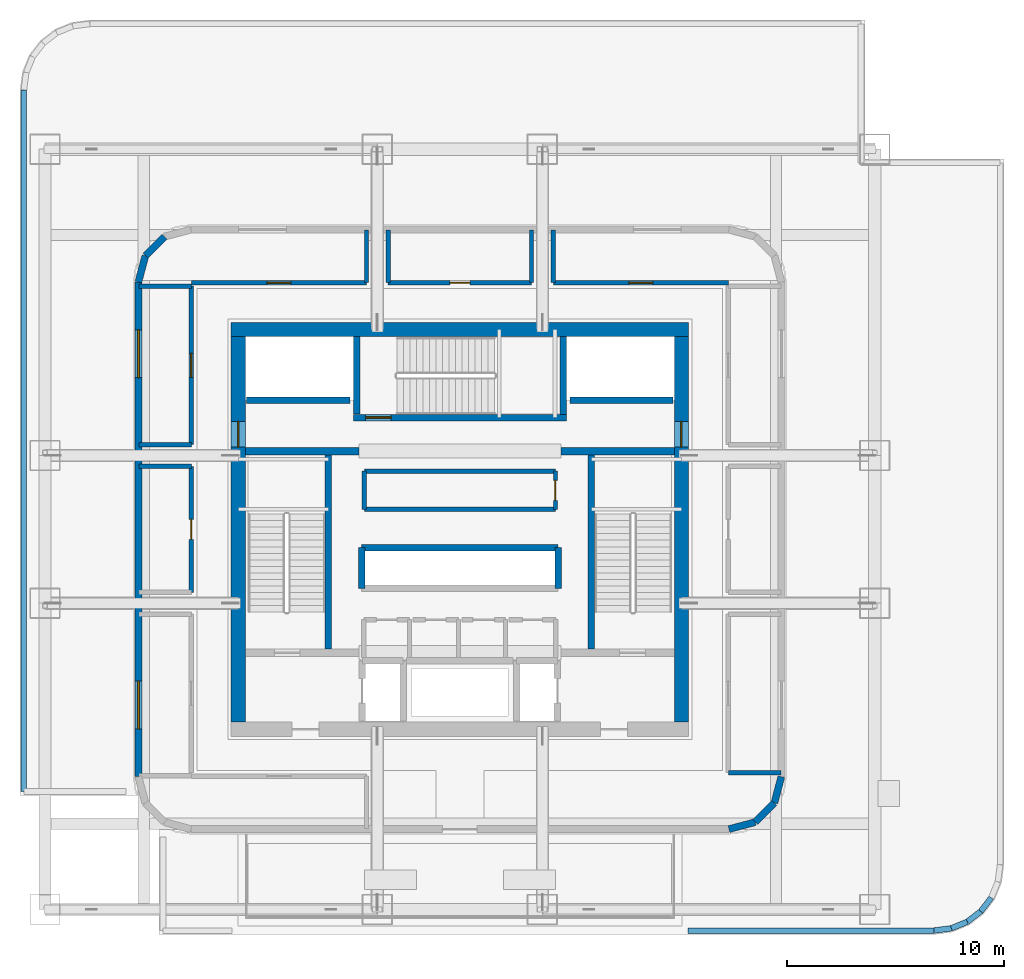
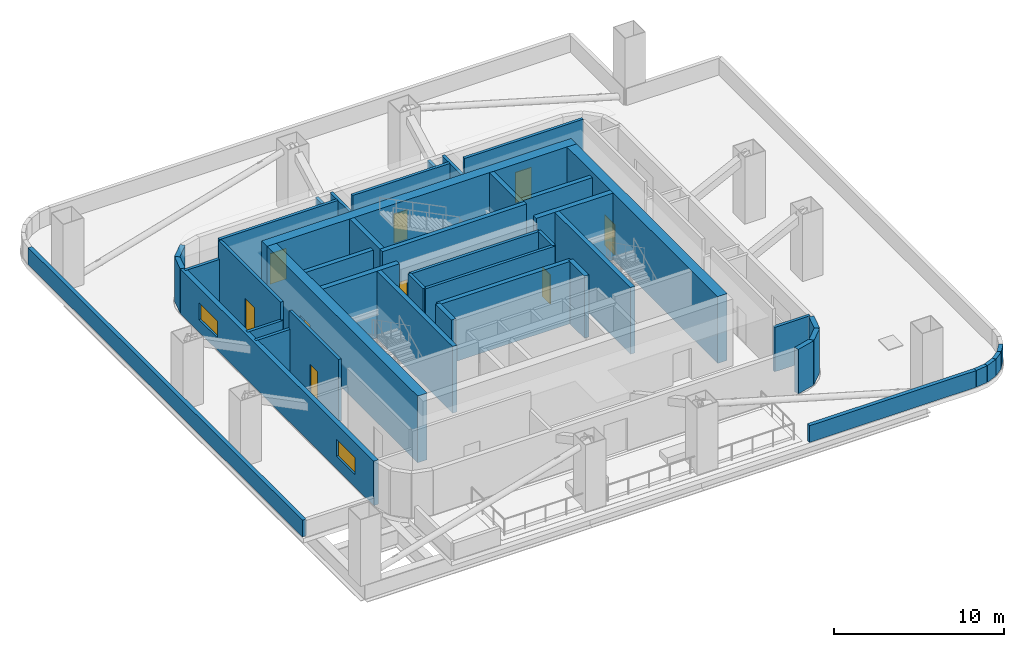
# One storey, part 6 of 10: 44 walls, 9 doors, 2 windows, 11 openings.
"""IFC4 building model written with IfcOpenShell, lengths in metres."""

from ifc_helpers import new_model, si_unit, direction, frame, frame_2d, origin, place, context, subcontext, project, spatial, rectangle, extrude, material, layer, layer_set, type_object, element, fill, save


model = new_model("IFC4")

# Units and contexts
model_context = context("Model", 3, precision=1e-05, world=origin(), true_north=direction((0.0, 1.0)))
body_context = subcontext(model_context, "Body", "Model", "MODEL_VIEW")
ifc_project = project(units=[si_unit("LENGTHUNIT", "METRE"), si_unit("AREAUNIT", "SQUARE_METRE"), si_unit("VOLUMEUNIT", "CUBIC_METRE"), si_unit("PLANEANGLEUNIT", "RADIAN"), si_unit("MASSUNIT", "GRAM", prefix="KILO")], contexts=[model_context])

# Site, building, storey
site_placement = place(None, origin())
site = spatial("IfcSite", under=ifc_project, at=site_placement, CompositionType="ELEMENT")
building_placement = place(site_placement, origin())
building = spatial("IfcBuilding", under=site, at=building_placement, Name="Punatoya Terracotta Tower", CompositionType="ELEMENT")
storey_placement = place(building_placement, frame((0.0, 0.0, 125.39990234375)))
storey = spatial("IfcBuildingStorey", under=building, at=storey_placement, Name="L29", CompositionType="ELEMENT", Elevation=125.39990234375)

# Wall, opening, door
ifc_material_1 = material(Name="Concrete C60/75", Category="concrete")
ifc_layer_1 = layer(ifc_material_1, 0.64990234375)
ifc_layer_set_1 = layer_set([ifc_layer_1], Name="Concrete C60/75")
wall_type_1 = type_object("IfcWallType", Name="WL-COR-650", PredefinedType="SHEAR", material=ifc_layer_set_1)
wall_1_placement = place(storey_placement, frame((-10.199951171875, -8.875, 0.0), z_axis=(0.0, 0.0, 1.0), x_axis=(0.0, 1.0, 0.0)))
wall_1 = element("IfcWall", 1, at=wall_1_placement, inside=storey, type_object=wall_type_1, Name="L29 Core Shear Wall W", PredefinedType="SHEAR", context=body_context, shape_type="SweptSolid", body=[
    extrude(rectangle(XDim=17.75, YDim=0.64990234375, at=frame_2d((8.875, 0.0))), origin(), (0.0, 0.0, 1.0), 4.800048828125),
])
opening_1_placement = place(wall_1_placement, frame((12.6650390625, 0.0, 0.0)))
opening_1 = element("IfcOpeningElement", 2, at=opening_1_placement, cuts=wall_1, Name="Opening SD-01", PredefinedType="OPENING", context=body_context, shape_type="SweptSolid", body=[
    extrude(rectangle(XDim=1.179931640625, YDim=2.199951171875, at=frame_2d((0.58984375, 1.10009765625))), frame((0.0, 0.3349609375, 0.0), z_axis=(0.0, -1.0, 0.0), x_axis=(1.0, 0.0, 0.0)), (0.0, 0.0, 1.0), 0.669921875),
])
ifc_material_2 = material(Name="Galvanised Steel Pressurized Stair Fire Door", Category="steel")
door_type_1 = type_object("IfcDoorType", Name="DR-STR-1180", OperationType="NOTDEFINED", PredefinedType="DOOR", material=ifc_material_2)
door_1_placement = place(opening_1_placement, origin())
door_1 = element("IfcDoor", 3, at=door_1_placement, inside=storey, type_object=door_type_1, Name="L29 Central Lift Lobby West Fire Door", OperationType="SINGLE_SWING_LEFT", OverallHeight=2.199951171875, OverallWidth=1.179931640625, PredefinedType="DOOR", context=body_context, shape_type="SweptSolid", body=[
    extrude(rectangle(XDim=1.179931640625, YDim=2.199951171875, at=frame_2d((0.58984375, 1.10009765625))), frame((0.0, 0.02490234375, 0.0), z_axis=(0.0, -1.0, 0.0), x_axis=(1.0, 0.0, 0.0)), (0.0, 0.0, 1.0), 0.050048828125),
])
fill(opening_1, door_1)

# Wall
wall_2_placement = place(storey_placement, frame((-10.52490234375, 9.199951171875, 0.0), z_axis=(0.0, 0.0, 1.0), x_axis=(1.0, 0.0, 0.0)))
element("IfcWall", 4, at=wall_2_placement, inside=storey, type_object=wall_type_1, Name="L29 Core Shear Wall N", PredefinedType="SHEAR", context=body_context, shape_type="SweptSolid", body=[
    extrude(rectangle(XDim=21.0498046875, YDim=0.64990234375, at=frame_2d((10.52490234375, 0.0))), origin(), (0.0, 0.0, 1.0), 4.800048828125),
])

# Wall, opening, door
wall_3_placement = place(storey_placement, frame((10.199951171875, 8.875, 0.0), z_axis=(0.0, 0.0, 1.0), x_axis=(0.0, -1.0, 0.0)))
wall_3 = element("IfcWall", 5, at=wall_3_placement, inside=storey, type_object=wall_type_1, Name="L29 Core Shear Wall E", PredefinedType="SHEAR", context=body_context, shape_type="SweptSolid", body=[
    extrude(rectangle(XDim=17.75, YDim=0.64990234375, at=frame_2d((8.875, 0.0))), origin(), (0.0, 0.0, 1.0), 4.800048828125),
])
opening_2_placement = place(wall_3_placement, frame((3.905029296875, 0.0, 0.0)))
opening_2 = element("IfcOpeningElement", 6, at=opening_2_placement, cuts=wall_3, Name="Opening SD-01", PredefinedType="OPENING", context=body_context, shape_type="SweptSolid", body=[
    extrude(rectangle(XDim=1.179931640625, YDim=2.199951171875, at=frame_2d((0.58984375, 1.10009765625))), frame((0.0, 0.3349609375, 0.0), z_axis=(0.0, -1.0, 0.0), x_axis=(1.0, 0.0, 0.0)), (0.0, 0.0, 1.0), 0.669921875),
])
door_2_placement = place(opening_2_placement, origin())
door_2 = element("IfcDoor", 7, at=door_2_placement, inside=storey, type_object=door_type_1, Name="L29 Central Lift Lobby East Fire Door", OperationType="SINGLE_SWING_RIGHT", OverallHeight=2.199951171875, OverallWidth=1.179931640625, PredefinedType="DOOR", context=body_context, shape_type="SweptSolid", body=[
    extrude(rectangle(XDim=1.179931640625, YDim=2.199951171875, at=frame_2d((0.58984375, 1.10009765625))), frame((0.0, 0.02490234375, 0.0), z_axis=(0.0, -1.0, 0.0), x_axis=(1.0, 0.0, 0.0)), (0.0, 0.0, 1.0), 0.050048828125),
])
fill(opening_2, door_2)

# Walls
ifc_material_3 = material(Name="Precast concrete C40/50", Category="concrete")
ifc_layer_2 = layer(ifc_material_3, 0.320068359375)
ifc_layer_set_2 = layer_set([ifc_layer_2], Name="Precast concrete C40/50")
wall_type_2 = type_object("IfcWallType", Name="WL-EXT-320", PredefinedType="SOLIDWALL", material=ifc_layer_set_2)
wall_4_placement = place(storey_placement, frame((12.386962890625, -13.800048828125, 0.0), z_axis=(0.0, 0.0, 1.0), x_axis=(0.966283375382, 0.25748094776, 0.0)))
element("IfcWall", 8, at=wall_4_placement, inside=storey, type_object=wall_type_2, Name="L29 Rounded Terracotta Corner Pier 02", PredefinedType="SOLIDWALL", context=body_context, shape_type="SweptSolid", body=[
    extrude(rectangle(XDim=1.25439453125, YDim=0.320068359375, at=frame_2d((0.627197265625, 0.0))), origin(), (0.0, 0.0, 1.0), 3.194091796875),
])
wall_5_placement = place(storey_placement, frame((13.59912109375, -13.47705078125, 0.0), z_axis=(0.0, 0.0, 1.0), x_axis=(0.707106781187, 0.707106781187, 0.0)))
element("IfcWall", 9, at=wall_5_placement, inside=storey, type_object=wall_type_2, Name="L29 Rounded Terracotta Corner Pier 03", PredefinedType="SOLIDWALL", context=body_context, shape_type="SweptSolid", body=[
    extrude(rectangle(XDim=1.24169921875, YDim=0.320068359375, at=frame_2d((0.620849609375, 0.0))), origin(), (0.0, 0.0, 1.0), 3.194091796875),
])
wall_6_placement = place(storey_placement, frame((14.47705078125, -12.59912109375, 0.0), z_axis=(0.0, 0.0, 1.0), x_axis=(0.25748094776, 0.966283375382, 0.0)))
element("IfcWall", 10, at=wall_6_placement, inside=storey, type_object=wall_type_2, Name="L29 Rounded Terracotta Corner Pier 04", PredefinedType="SOLIDWALL", context=body_context, shape_type="SweptSolid", body=[
    extrude(rectangle(XDim=1.25439453125, YDim=0.320068359375, at=frame_2d((0.627197265625, 0.0))), origin(), (0.0, 0.0, 1.0), 3.194091796875),
])
wall_7_placement = place(storey_placement, frame((-13.59912109375, 13.47705078125, 0.0), z_axis=(0.0, 0.0, 1.0), x_axis=(-0.707106781187, -0.707106781187, 0.0)))
element("IfcWall", 11, at=wall_7_placement, inside=storey, type_object=wall_type_2, Name="L29 Rounded Terracotta Corner Pier 11", PredefinedType="SOLIDWALL", context=body_context, shape_type="SweptSolid", body=[
    extrude(rectangle(XDim=1.24169921875, YDim=0.320068359375, at=frame_2d((0.620849609375, 0.0))), origin(), (0.0, 0.0, 1.0), 3.194091796875),
])
wall_8_placement = place(storey_placement, frame((-14.47705078125, 12.59912109375, 0.0), z_axis=(0.0, 0.0, 1.0), x_axis=(-0.25748094776, -0.966283375382, 0.0)))
element("IfcWall", 12, at=wall_8_placement, inside=storey, type_object=wall_type_2, Name="L29 Rounded Terracotta Corner Pier 12", PredefinedType="SOLIDWALL", context=body_context, shape_type="SweptSolid", body=[
    extrude(rectangle(XDim=1.25439453125, YDim=0.320068359375, at=frame_2d((0.627197265625, 0.0))), origin(), (0.0, 0.0, 1.0), 3.194091796875),
])

# Wall, openings, windows
wall_9_placement = place(storey_placement, frame((-14.800048828125, 11.386962890625, 0.0), z_axis=(0.0, 0.0, 1.0), x_axis=(0.0, -1.0, 0.0)))
wall_9 = element("IfcWall", 13, at=wall_9_placement, inside=storey, type_object=wall_type_2, Name="L29 Terracotta Louvre Plant Enclosure W", PredefinedType="SOLIDWALL", context=body_context, shape_type="SweptSolid", body=[
    extrude(rectangle(XDim=22.77392578125, YDim=0.320068359375, at=frame_2d((11.386962890625, 0.0))), origin(), (0.0, 0.0, 1.0), 3.194091796875),
])
opening_3_placement = place(wall_9_placement, frame((2.199951171875, 0.0, 0.89990234375)))
opening_3 = element("IfcOpeningElement", 14, at=opening_3_placement, cuts=wall_9, Name="Opening WN-09", PredefinedType="OPENING", context=body_context, shape_type="SweptSolid", body=[
    extrude(rectangle(XDim=2.199951171875, YDim=1.199951171875, at=frame_2d((1.10009765625, 0.60009765625))), frame((0.0, 0.169921875, 0.0), z_axis=(0.0, -1.0, 0.0), x_axis=(1.0, 0.0, 0.0)), (0.0, 0.0, 1.0), 0.340087890625),
])
opening_4_placement = place(wall_9_placement, frame((18.373779296875, 0.0, 0.89990234375)))
opening_4 = element("IfcOpeningElement", 15, at=opening_4_placement, cuts=wall_9, Name="Opening WN-09", PredefinedType="OPENING", context=body_context, shape_type="SweptSolid", body=[
    extrude(rectangle(XDim=2.199951171875, YDim=1.199951171875, at=frame_2d((1.10009765625, 0.60009765625))), frame((0.0, 0.169921875, 0.0), z_axis=(0.0, -1.0, 0.0), x_axis=(1.0, 0.0, 0.0)), (0.0, 0.0, 1.0), 0.340087890625),
])
ifc_material_4 = material(Name="Aluminium 6063-T6 + Double Low-E Glass", Category="aluminium")
window_type = type_object("IfcWindowType", Name="WIN-CLR-2200", PartitioningType="SINGLE_PANEL", PredefinedType="WINDOW", material=ifc_material_4)
window_1_placement = place(opening_3_placement, origin())
window_1 = element("IfcWindow", 16, at=window_1_placement, inside=storey, type_object=window_type, Name="L29 Refuge Daylight Window W1", OverallHeight=1.199951171875, OverallWidth=2.199951171875, PartitioningType="SINGLE_PANEL", PredefinedType="WINDOW", context=body_context, shape_type="SweptSolid", body=[
    extrude(rectangle(XDim=2.199951171875, YDim=1.199951171875, at=frame_2d((1.10009765625, 0.60009765625))), frame((0.0, 0.030029296875, 0.0), z_axis=(0.0, -1.0, 0.0), x_axis=(1.0, 0.0, 0.0)), (0.0, 0.0, 1.0), 0.06005859375),
])
fill(opening_3, window_1)
window_2_placement = place(opening_4_placement, origin())
window_2 = element("IfcWindow", 17, at=window_2_placement, inside=storey, type_object=window_type, Name="L29 Refuge Daylight Window W2", OverallHeight=1.199951171875, OverallWidth=2.199951171875, PartitioningType="SINGLE_PANEL", PredefinedType="WINDOW", context=body_context, shape_type="SweptSolid", body=[
    extrude(rectangle(XDim=2.199951171875, YDim=1.199951171875, at=frame_2d((1.10009765625, 0.60009765625))), frame((0.0, 0.030029296875, 0.0), z_axis=(0.0, -1.0, 0.0), x_axis=(1.0, 0.0, 0.0)), (0.0, 0.0, 1.0), 0.06005859375),
])
fill(opening_4, window_2)

# Wall, opening, door
ifc_material_5 = material(Name="Concrete C40/50", Category="concrete")
ifc_layer_3 = layer(ifc_material_5, 0.199951171875)
ifc_layer_set_3 = layer_set([ifc_layer_3], Name="Concrete C40/50")
wall_type_3 = type_object("IfcWallType", Name="WL-INT-200", PredefinedType="SOLIDWALL", material=ifc_layer_set_3)
wall_10_placement = place(storey_placement, frame((4.39990234375, 0.919921875, 0.0), z_axis=(0.0, 0.0, 1.0), x_axis=(0.0, 1.0, 0.0)))
wall_10 = element("IfcWall", 18, at=wall_10_placement, inside=storey, type_object=wall_type_3, Name="L29 Zone Mechanical Riser Plant Partition 10", PredefinedType="SOLIDWALL", context=body_context, shape_type="SweptSolid", body=[
    extrude(rectangle(XDim=1.760009765625, YDim=0.199951171875, at=frame_2d((0.8798828125, 0.0))), origin(), (0.0, 0.0, 1.0), 4.47998046875),
])
opening_5_placement = place(wall_10_placement, frame((0.419921875, 0.0, 0.0)))
opening_5 = element("IfcOpeningElement", 19, at=opening_5_placement, cuts=wall_10, Name="Opening FD-R1", PredefinedType="OPENING", context=body_context, shape_type="SweptSolid", body=[
    extrude(rectangle(XDim=0.919921875, YDim=2.10009765625, at=frame_2d((0.4599609375, 1.050048828125))), frame((0.0, 0.10986328125, 0.0), z_axis=(0.0, -1.0, 0.0), x_axis=(1.0, 0.0, 0.0)), (0.0, 0.0, 1.0), 0.219970703125),
])
ifc_material_6 = material(Name="Galvanised Steel Riser Fire Access Door", Category="steel")
door_type_2 = type_object("IfcDoorType", Name="DR-RSR-920", OperationType="NOTDEFINED", PredefinedType="DOOR", material=ifc_material_6)
door_3_placement = place(opening_5_placement, origin())
door_3 = element("IfcDoor", 20, at=door_3_placement, inside=storey, type_object=door_type_2, Name="L29 Zone Mechanical Riser Plant Fire Door", OperationType="SINGLE_SWING_RIGHT", OverallHeight=2.10009765625, OverallWidth=0.919921875, PredefinedType="DOOR", context=body_context, shape_type="SweptSolid", body=[
    extrude(rectangle(XDim=0.919921875, YDim=2.10009765625, at=frame_2d((0.4599609375, 1.050048828125))), frame((0.0, 0.02490234375, 0.0), z_axis=(0.0, -1.0, 0.0), x_axis=(1.0, 0.0, 0.0)), (0.0, 0.0, 1.0), 0.050048828125),
])
fill(opening_5, door_3)

# Walls
wall_11_placement = place(storey_placement, frame((4.39990234375, 2.679931640625, 0.0), z_axis=(0.0, 0.0, 1.0), x_axis=(-1.0, 0.0, 0.0)))
element("IfcWall", 21, at=wall_11_placement, inside=storey, type_object=wall_type_3, Name="L29 Zone Mechanical Riser Plant Partition 11", PredefinedType="SOLIDWALL", context=body_context, shape_type="SweptSolid", body=[
    extrude(rectangle(XDim=8.7998046875, YDim=0.199951171875, at=frame_2d((4.39990234375, 0.0))), origin(), (0.0, 0.0, 1.0), 4.47998046875),
])
wall_12_placement = place(storey_placement, frame((-4.39990234375, 2.679931640625, 0.0), z_axis=(0.0, 0.0, 1.0), x_axis=(0.0, -1.0, 0.0)))
element("IfcWall", 22, at=wall_12_placement, inside=storey, type_object=wall_type_3, Name="L29 Zone Mechanical Riser Plant Partition 12", PredefinedType="SOLIDWALL", context=body_context, shape_type="SweptSolid", body=[
    extrude(rectangle(XDim=1.760009765625, YDim=0.199951171875, at=frame_2d((0.8798828125, 0.0))), origin(), (0.0, 0.0, 1.0), 4.47998046875),
])
wall_13_placement = place(storey_placement, frame((-4.39990234375, 0.919921875, 0.0), z_axis=(0.0, 0.0, 1.0), x_axis=(1.0, 0.0, 0.0)))
element("IfcWall", 23, at=wall_13_placement, inside=storey, type_object=wall_type_3, Name="L29 Zone Mechanical Riser Plant Partition 13", PredefinedType="SOLIDWALL", context=body_context, shape_type="SweptSolid", body=[
    extrude(rectangle(XDim=8.7998046875, YDim=0.199951171875, at=frame_2d((4.39990234375, 0.0))), origin(), (0.0, 0.0, 1.0), 4.47998046875),
])

# Wall, opening, door
wall_14_placement = place(storey_placement, frame((-12.360107421875, 2.89990234375, 0.0), z_axis=(0.0, 0.0, 1.0), x_axis=(0.0, -1.0, 0.0)))
wall_14 = element("IfcWall", 24, at=wall_14_placement, inside=storey, type_object=wall_type_3, Name="L29 West Outrigger Truss & Smoke-Extract Plant Room (Central Bay) Partition 19", PredefinedType="SOLIDWALL", context=body_context, shape_type="SweptSolid", body=[
    extrude(rectangle(XDim=5.7998046875, YDim=0.199951171875, at=frame_2d((2.89990234375, 0.0))), origin(), (0.0, 0.0, 1.0), 4.47998046875),
])
opening_6_placement = place(wall_14_placement, frame((2.43994140625, 0.0, 0.0)))
opening_6 = element("IfcOpeningElement", 25, at=opening_6_placement, cuts=wall_14, Name="Opening FD-R1", PredefinedType="OPENING", context=body_context, shape_type="SweptSolid", body=[
    extrude(rectangle(XDim=0.919921875, YDim=2.10009765625, at=frame_2d((0.4599609375, 1.050048828125))), frame((0.0, 0.10986328125, 0.0), z_axis=(0.0, -1.0, 0.0), x_axis=(1.0, 0.0, 0.0)), (0.0, 0.0, 1.0), 0.219970703125),
])
door_4_placement = place(opening_6_placement, origin())
door_4 = element("IfcDoor", 26, at=door_4_placement, inside=storey, type_object=door_type_2, Name="L29 West Outrigger Truss & Smoke-Extract Plant Room (Central Bay) Fire Door", OperationType="SINGLE_SWING_LEFT", OverallHeight=2.10009765625, OverallWidth=0.919921875, PredefinedType="DOOR", context=body_context, shape_type="SweptSolid", body=[
    extrude(rectangle(XDim=0.919921875, YDim=2.10009765625, at=frame_2d((0.4599609375, 1.050048828125))), frame((0.0, 0.02490234375, 0.0), z_axis=(0.0, -1.0, 0.0), x_axis=(1.0, 0.0, 0.0)), (0.0, 0.0, 1.0), 0.050048828125),
])
fill(opening_6, door_4)

# Walls
for number, where, z_axis, x_axis, name in (
    (27, (-14.780029296875, 2.89990234375, 0.0), (0.0, 0.0, 1.0), (1.0, 0.0, 0.0), "L29 West Outrigger Truss & Smoke-Extract Plant Room (Central Bay) Partition 21"),
    (28, (-12.360107421875, 3.89990234375, 0.0), (0.0, 0.0, 1.0), (-1.0, 0.0, 0.0), "L29 West Outrigger Truss & Smoke-Extract Plant Room (North Bay) Partition 22"),
    (29, (-14.780029296875, 11.199951171875, 0.0), (0.0, 0.0, 1.0), (1.0, 0.0, 0.0), "L29 West Outrigger Truss & Smoke-Extract Plant Room (North Bay) Partition 23"),
):
    element("IfcWall", number, at=place(storey_placement, frame(where, z_axis=z_axis, x_axis=x_axis)), inside=storey, type_object=wall_type_3, Name=name, PredefinedType="SOLIDWALL", context=body_context, shape_type="SweptSolid", body=[
        extrude(rectangle(XDim=2.419921875, YDim=0.199951171875, at=frame_2d((1.2099609375, 0.0))), origin(), (0.0, 0.0, 1.0), 3.194091796875),
    ])

# Wall, opening, door
wall_15_placement = place(storey_placement, frame((-12.360107421875, 11.199951171875, 0.0), z_axis=(0.0, 0.0, 1.0), x_axis=(0.0, -1.0, 0.0)))
wall_15 = element("IfcWall", 30, at=wall_15_placement, inside=storey, type_object=wall_type_3, Name="L29 West Outrigger Truss & Smoke-Extract Plant Room (North Bay) Partition 24", PredefinedType="SOLIDWALL", context=body_context, shape_type="SweptSolid", body=[
    extrude(rectangle(XDim=7.300048828125, YDim=0.199951171875, at=frame_2d((3.64990234375, 0.0))), origin(), (0.0, 0.0, 1.0), 4.47998046875),
])
opening_7_placement = place(wall_15_placement, frame((3.10009765625, 0.0, 0.0)))
opening_7 = element("IfcOpeningElement", 31, at=opening_7_placement, cuts=wall_15, Name="Opening FD-P1", PredefinedType="OPENING", context=body_context, shape_type="SweptSolid", body=[
    extrude(rectangle(XDim=1.10009765625, YDim=2.199951171875, at=frame_2d((0.550048828125, 1.10009765625))), frame((0.0, 0.10986328125, 0.0), z_axis=(0.0, -1.0, 0.0), x_axis=(1.0, 0.0, 0.0)), (0.0, 0.0, 1.0), 0.219970703125),
])
ifc_material_7 = material(Name="Galvanised Steel Plant Fire Door", Category="steel")
door_type_3 = type_object("IfcDoorType", Name="DR-PLT-1100", OperationType="NOTDEFINED", PredefinedType="DOOR", material=ifc_material_7)
door_5_placement = place(opening_7_placement, origin())
door_5 = element("IfcDoor", 32, at=door_5_placement, inside=storey, type_object=door_type_3, Name="L29 West Outrigger Truss & Smoke-Extract Plant Room (North Bay) Fire Door", OperationType="SINGLE_SWING_RIGHT", OverallHeight=2.199951171875, OverallWidth=1.10009765625, PredefinedType="DOOR", context=body_context, shape_type="SweptSolid", body=[
    extrude(rectangle(XDim=1.10009765625, YDim=2.199951171875, at=frame_2d((0.550048828125, 1.10009765625))), frame((0.0, 0.02490234375, 0.0), z_axis=(0.0, -1.0, 0.0), x_axis=(1.0, 0.0, 0.0)), (0.0, 0.0, 1.0), 0.050048828125),
])
fill(opening_7, door_5)

# Walls
for number, where, z_axis, x_axis, name in (
    (33, (14.780029296875, -11.199951171875, 0.0), (0.0, 0.0, 1.0), (-1.0, 0.0, 0.0), "L29 East Outrigger Truss & Heat-Exchanger Plant Room (South Bay) Partition 26"),
    (34, (-4.300048828125, 13.780029296875, 0.0), (0.0, 0.0, 1.0), (0.0, -1.0, 0.0), "L29 Designated Pressurized Refuge Area North (West Bay) Partition 34"),
):
    element("IfcWall", number, at=place(storey_placement, frame(where, z_axis=z_axis, x_axis=x_axis)), inside=storey, type_object=wall_type_3, Name=name, PredefinedType="SOLIDWALL", context=body_context, shape_type="SweptSolid", body=[
        extrude(rectangle(XDim=2.419921875, YDim=0.199951171875, at=frame_2d((1.2099609375, 0.0))), origin(), (0.0, 0.0, 1.0), 3.194091796875),
    ])

# Wall, opening, door
wall_16_placement = place(storey_placement, frame((-4.300048828125, 11.360107421875, 0.0), z_axis=(0.0, 0.0, 1.0), x_axis=(-1.0, 0.0, 0.0)))
wall_16 = element("IfcWall", 35, at=wall_16_placement, inside=storey, type_object=wall_type_3, Name="L29 Designated Pressurized Refuge Area North (West Bay) Partition 35", PredefinedType="SOLIDWALL", context=body_context, shape_type="SweptSolid", body=[
    extrude(rectangle(XDim=8.06005859375, YDim=0.199951171875, at=frame_2d((4.030029296875, 0.0))), origin(), (0.0, 0.0, 1.0), 4.47998046875),
])
opening_8_placement = place(wall_16_placement, frame((3.47998046875, 0.0, 0.0)))
opening_8 = element("IfcOpeningElement", 36, at=opening_8_placement, cuts=wall_16, Name="Opening FD-P1", PredefinedType="OPENING", context=body_context, shape_type="SweptSolid", body=[
    extrude(rectangle(XDim=1.10009765625, YDim=2.199951171875, at=frame_2d((0.550048828125, 1.10009765625))), frame((0.0, 0.10986328125, 0.0), z_axis=(0.0, -1.0, 0.0), x_axis=(1.0, 0.0, 0.0)), (0.0, 0.0, 1.0), 0.219970703125),
])
door_6_placement = place(opening_8_placement, origin())
door_6 = element("IfcDoor", 37, at=door_6_placement, inside=storey, type_object=door_type_3, Name="L29 Designated Pressurized Refuge Area North (West Bay) Fire Door", OperationType="SINGLE_SWING_RIGHT", OverallHeight=2.199951171875, OverallWidth=1.10009765625, PredefinedType="DOOR", context=body_context, shape_type="SweptSolid", body=[
    extrude(rectangle(XDim=1.10009765625, YDim=2.199951171875, at=frame_2d((0.550048828125, 1.10009765625))), frame((0.0, 0.02490234375, 0.0), z_axis=(0.0, -1.0, 0.0), x_axis=(1.0, 0.0, 0.0)), (0.0, 0.0, 1.0), 0.050048828125),
])
fill(opening_8, door_6)

wall_17_placement = place(storey_placement, frame((3.300048828125, 11.360107421875, 0.0), z_axis=(0.0, 0.0, 1.0), x_axis=(-1.0, 0.0, 0.0)))
wall_17 = element("IfcWall", 38, at=wall_17_placement, inside=storey, type_object=wall_type_3, Name="L29 Designated Pressurized Refuge Area North (Central Bay) Partition 36", PredefinedType="SOLIDWALL", context=body_context, shape_type="SweptSolid", body=[
    extrude(rectangle(XDim=6.60009765625, YDim=0.199951171875, at=frame_2d((3.300048828125, 0.0))), origin(), (0.0, 0.0, 1.0), 4.47998046875),
])
opening_9_placement = place(wall_17_placement, frame((2.840087890625, 0.0, 0.0)))
opening_9 = element("IfcOpeningElement", 39, at=opening_9_placement, cuts=wall_17, Name="Opening FD-R1", PredefinedType="OPENING", context=body_context, shape_type="SweptSolid", body=[
    extrude(rectangle(XDim=0.919921875, YDim=2.10009765625, at=frame_2d((0.4599609375, 1.050048828125))), frame((0.0, 0.10986328125, 0.0), z_axis=(0.0, -1.0, 0.0), x_axis=(1.0, 0.0, 0.0)), (0.0, 0.0, 1.0), 0.219970703125),
])
door_7_placement = place(opening_9_placement, origin())
door_7 = element("IfcDoor", 40, at=door_7_placement, inside=storey, type_object=door_type_2, Name="L29 Designated Pressurized Refuge Area North (Central Bay) Fire Door", OperationType="SINGLE_SWING_LEFT", OverallHeight=2.10009765625, OverallWidth=0.919921875, PredefinedType="DOOR", context=body_context, shape_type="SweptSolid", body=[
    extrude(rectangle(XDim=0.919921875, YDim=2.10009765625, at=frame_2d((0.4599609375, 1.050048828125))), frame((0.0, 0.02490234375, 0.0), z_axis=(0.0, -1.0, 0.0), x_axis=(1.0, 0.0, 0.0)), (0.0, 0.0, 1.0), 0.050048828125),
])
fill(opening_9, door_7)

# Walls
for number, where, z_axis, x_axis, name in (
    (41, (-3.300048828125, 11.360107421875, 0.0), (0.0, 0.0, 1.0), (0.0, 1.0, 0.0), "L29 Designated Pressurized Refuge Area North (Central Bay) Partition 37"),
    (42, (3.300048828125, 13.780029296875, 0.0), (0.0, 0.0, 1.0), (0.0, -1.0, 0.0), "L29 Designated Pressurized Refuge Area North (Central Bay) Partition 38"),
):
    element("IfcWall", number, at=place(storey_placement, frame(where, z_axis=z_axis, x_axis=x_axis)), inside=storey, type_object=wall_type_3, Name=name, PredefinedType="SOLIDWALL", context=body_context, shape_type="SweptSolid", body=[
        extrude(rectangle(XDim=2.419921875, YDim=0.199951171875, at=frame_2d((1.2099609375, 0.0))), origin(), (0.0, 0.0, 1.0), 3.194091796875),
    ])

# Wall, opening, door
wall_18_placement = place(storey_placement, frame((12.360107421875, 11.360107421875, 0.0), z_axis=(0.0, 0.0, 1.0), x_axis=(-1.0, 0.0, 0.0)))
wall_18 = element("IfcWall", 43, at=wall_18_placement, inside=storey, type_object=wall_type_3, Name="L29 Designated Pressurized Refuge Area North (East Bay) Partition 39", PredefinedType="SOLIDWALL", context=body_context, shape_type="SweptSolid", body=[
    extrude(rectangle(XDim=8.06005859375, YDim=0.199951171875, at=frame_2d((4.030029296875, 0.0))), origin(), (0.0, 0.0, 1.0), 4.47998046875),
])
opening_10_placement = place(wall_18_placement, frame((3.47998046875, 0.0, 0.0)))
opening_10 = element("IfcOpeningElement", 44, at=opening_10_placement, cuts=wall_18, Name="Opening FD-P1", PredefinedType="OPENING", context=body_context, shape_type="SweptSolid", body=[
    extrude(rectangle(XDim=1.10009765625, YDim=2.199951171875, at=frame_2d((0.550048828125, 1.10009765625))), frame((0.0, 0.10986328125, 0.0), z_axis=(0.0, -1.0, 0.0), x_axis=(1.0, 0.0, 0.0)), (0.0, 0.0, 1.0), 0.219970703125),
])
door_8_placement = place(opening_10_placement, origin())
door_8 = element("IfcDoor", 45, at=door_8_placement, inside=storey, type_object=door_type_3, Name="L29 Designated Pressurized Refuge Area North (East Bay) Fire Door", OperationType="SINGLE_SWING_RIGHT", OverallHeight=2.199951171875, OverallWidth=1.10009765625, PredefinedType="DOOR", context=body_context, shape_type="SweptSolid", body=[
    extrude(rectangle(XDim=1.10009765625, YDim=2.199951171875, at=frame_2d((0.550048828125, 1.10009765625))), frame((0.0, 0.02490234375, 0.0), z_axis=(0.0, -1.0, 0.0), x_axis=(1.0, 0.0, 0.0)), (0.0, 0.0, 1.0), 0.050048828125),
])
fill(opening_10, door_8)

# Walls
wall_19_placement = place(storey_placement, frame((4.300048828125, 11.360107421875, 0.0), z_axis=(0.0, 0.0, 1.0), x_axis=(0.0, 1.0, 0.0)))
element("IfcWall", 46, at=wall_19_placement, inside=storey, type_object=wall_type_3, Name="L29 Designated Pressurized Refuge Area North (East Bay) Partition 40", PredefinedType="SOLIDWALL", context=body_context, shape_type="SweptSolid", body=[
    extrude(rectangle(XDim=2.419921875, YDim=0.199951171875, at=frame_2d((1.2099609375, 0.0))), origin(), (0.0, 0.0, 1.0), 3.194091796875),
])
ifc_layer_4 = layer(ifc_material_3, 0.260009765625)
ifc_layer_set_4 = layer_set([ifc_layer_4], Name="Precast concrete C40/50")
wall_type_4 = type_object("IfcWallType", Name="WL-PAR-260", PredefinedType="PARAPET", material=ifc_layer_set_4)
wall_20_placement = place(storey_placement, frame((21.838134765625, -18.469970703125, 0.0), z_axis=(0.0, 0.0, 1.0), x_axis=(0.991429342672, 0.130644014367, 0.0)))
element("IfcWall", 47, at=wall_20_placement, inside=storey, type_object=wall_type_4, Name="L29 Roof Parapet Wall PAR-L29-RF-01", PredefinedType="PARAPET", context=body_context, shape_type="SweptSolid", body=[
    extrude(rectangle(XDim=0.7998046875, YDim=0.260009765625, at=frame_2d((0.39990234375, 0.0))), origin(), (0.0, 0.0, 1.0), 1.2001953125),
])
wall_21_placement = place(storey_placement, frame((22.631103515625, -18.365478515625, 0.0), z_axis=(0.0, 0.0, 1.0), x_axis=(0.924009282298, 0.382370038349, 0.0)))
element("IfcWall", 48, at=wall_21_placement, inside=storey, type_object=wall_type_4, Name="L29 Roof Parapet Wall PAR-L29-RF-02", PredefinedType="PARAPET", context=body_context, shape_type="SweptSolid", body=[
    extrude(rectangle(XDim=0.787841796875, YDim=0.260009765625, at=frame_2d((0.39404296875, 0.0))), origin(), (0.0, 0.0, 1.0), 1.2001953125),
])
wall_22_placement = place(storey_placement, frame((23.359130859375, -18.064208984375, 0.0), z_axis=(0.0, 0.0, 1.0), x_axis=(0.793222344381, 0.608932108182, 0.0)))
element("IfcWall", 49, at=wall_22_placement, inside=storey, type_object=wall_type_4, Name="L29 Roof Parapet Wall PAR-L29-RF-03", PredefinedType="PARAPET", context=body_context, shape_type="SweptSolid", body=[
    extrude(rectangle(XDim=0.788330078125, YDim=0.260009765625, at=frame_2d((0.39404296875, 0.0))), origin(), (0.0, 0.0, 1.0), 1.2001953125),
])
wall_23_placement = place(storey_placement, frame((23.984375, -17.584228515625, 0.0), z_axis=(0.0, 0.0, 1.0), x_axis=(0.608886809997, 0.793257116332, 0.0)))
element("IfcWall", 50, at=wall_23_placement, inside=storey, type_object=wall_type_4, Name="L29 Roof Parapet Wall PAR-L29-RF-04", PredefinedType="PARAPET", context=body_context, shape_type="SweptSolid", body=[
    extrude(rectangle(XDim=0.787841796875, YDim=0.260009765625, at=frame_2d((0.39404296875, 0.0))), origin(), (0.0, 0.0, 1.0), 1.2001953125),
])
wall_24_placement = place(storey_placement, frame((-20.070068359375, 20.23828125, 0.0), z_axis=(0.0, 0.0, 1.0), x_axis=(0.0, -1.0, 0.0)))
element("IfcWall", 51, at=wall_24_placement, inside=storey, type_object=wall_type_4, Name="L29 Roof Parapet Wall PAR-L29-RF-17", PredefinedType="PARAPET", context=body_context, shape_type="SweptSolid", body=[
    extrude(rectangle(XDim=32.308349609375, YDim=0.260009765625, at=frame_2d((16.154296875, 0.0))), origin(), (0.0, 0.0, 1.0), 1.2001953125),
])
wall_25_placement = place(storey_placement, frame((10.5, -18.469970703125, 0.0), z_axis=(0.0, 0.0, 1.0), x_axis=(1.0, 0.0, 0.0)))
element("IfcWall", 52, at=wall_25_placement, inside=storey, type_object=wall_type_4, Name="L29 Roof Parapet Wall PAR-L29-RF-21", PredefinedType="PARAPET", context=body_context, shape_type="SweptSolid", body=[
    extrude(rectangle(XDim=11.338134765625, YDim=0.260009765625, at=frame_2d((5.6689453125, 0.0))), origin(), (0.0, 0.0, 1.0), 1.2001953125),
])
ifc_layer_5 = layer(ifc_material_5, 0.300048828125)
ifc_layer_set_5 = layer_set([ifc_layer_5], Name="Concrete C40/50")
wall_type_5 = type_object("IfcWallType", Name="WL-SHF-300", PredefinedType="SOLIDWALL", material=ifc_layer_set_5)
for number, where, z_axis, x_axis, name in (
    (53, (-6.050048828125, -5.5, 0.0), (0.0, 0.0, 1.0), (0.0, 1.0, 0.0), "L29 Structural Stair Shaft Wall SW-ST1-E"),
    (54, (6.050048828125, 3.449951171875, 0.0), (0.0, 0.0, 1.0), (0.0, -1.0, 0.0), "L29 Structural Stair Shaft Wall SW-ST2-W"),
):
    element("IfcWall", number, at=place(storey_placement, frame(where, z_axis=z_axis, x_axis=x_axis)), inside=storey, type_object=wall_type_5, Name=name, PredefinedType="SOLIDWALL", context=body_context, shape_type="SweptSolid", body=[
        extrude(rectangle(XDim=8.949951171875, YDim=0.300048828125, at=frame_2d((4.47509765625, 0.0))), origin(), (0.0, 0.0, 1.0), 4.800048828125),
    ])
for number, where, z_axis, x_axis, name in (
    (55, (-4.75, 5.300048828125, 0.0), (0.0, 0.0, 1.0), (0.0, 1.0, 0.0), "L29 Structural Stair Shaft Wall SW-ST3-W"),
    (56, (4.75, 8.875, 0.0), (0.0, 0.0, 1.0), (0.0, -1.0, 0.0), "L29 Structural Stair Shaft Wall SW-ST3-E"),
):
    element("IfcWall", number, at=place(storey_placement, frame(where, z_axis=z_axis, x_axis=x_axis)), inside=storey, type_object=wall_type_5, Name=name, PredefinedType="SOLIDWALL", context=body_context, shape_type="SweptSolid", body=[
        extrude(rectangle(XDim=3.574951171875, YDim=0.300048828125, at=frame_2d((1.78759765625, 0.0))), origin(), (0.0, 0.0, 1.0), 4.800048828125),
    ])

# Wall, opening, door
wall_26_placement = place(storey_placement, frame((-4.89990234375, 5.14990234375, 0.0), z_axis=(0.0, 0.0, 1.0), x_axis=(1.0, 0.0, 0.0)))
wall_26 = element("IfcWall", 57, at=wall_26_placement, inside=storey, type_object=wall_type_5, Name="L29 Structural Stair Shaft Wall SW-ST3-S", PredefinedType="SOLIDWALL", context=body_context, shape_type="SweptSolid", body=[
    extrude(rectangle(XDim=9.7998046875, YDim=0.300048828125, at=frame_2d((4.89990234375, 0.0))), origin(), (0.0, 0.0, 1.0), 4.800048828125),
])
opening_11_placement = place(wall_26_placement, frame((0.56005859375, 0.0, 0.0)))
opening_11 = element("IfcOpeningElement", 58, at=opening_11_placement, cuts=wall_26, Name="Opening SD-01", PredefinedType="OPENING", context=body_context, shape_type="SweptSolid", body=[
    extrude(rectangle(XDim=1.179931640625, YDim=2.199951171875, at=frame_2d((0.58984375, 1.10009765625))), frame((0.0, 0.159912109375, 0.0), z_axis=(0.0, -1.0, 0.0), x_axis=(1.0, 0.0, 0.0)), (0.0, 0.0, 1.0), 0.320068359375),
])
door_9_placement = place(opening_11_placement, origin())
door_9 = element("IfcDoor", 59, at=door_9_placement, inside=storey, type_object=door_type_1, Name="L29 Stair ST-3 Core Lobby Fire Door", OperationType="SINGLE_SWING_LEFT", OverallHeight=2.199951171875, OverallWidth=1.179931640625, PredefinedType="DOOR", context=body_context, shape_type="SweptSolid", body=[
    extrude(rectangle(XDim=1.179931640625, YDim=2.199951171875, at=frame_2d((0.58984375, 1.10009765625))), frame((0.0, 0.02490234375, 0.0), z_axis=(0.0, -1.0, 0.0), x_axis=(1.0, 0.0, 0.0)), (0.0, 0.0, 1.0), 0.050048828125),
])
fill(opening_11, door_9)

# Walls
wall_27_placement = place(storey_placement, frame((-4.52001953125, -0.840087890625, 0.0), z_axis=(0.0, 0.0, 1.0), x_axis=(1.0, 0.0, 0.0)))
element("IfcWall", 60, at=wall_27_placement, inside=storey, type_object=wall_type_5, Name="L29 South Lift Bank Front Shaft Wall", PredefinedType="SOLIDWALL", context=body_context, shape_type="SweptSolid", body=[
    extrude(rectangle(XDim=9.0400390625, YDim=0.300048828125, at=frame_2d((4.52001953125, 0.0))), origin(), (0.0, 0.0, 1.0), 4.47998046875),
])
for number, where, z_axis, x_axis, name in (
    (61, (-4.52001953125, -2.719970703125, 0.0), (0.0, 0.0, 1.0), (0.0, 1.0, 0.0), "L29 South Lift Bank West End Wall"),
    (62, (4.52001953125, -2.719970703125, 0.0), (0.0, 0.0, 1.0), (0.0, 1.0, 0.0), "L29 South Lift Bank East End Wall"),
):
    element("IfcWall", number, at=place(storey_placement, frame(where, z_axis=z_axis, x_axis=x_axis)), inside=storey, type_object=wall_type_5, Name=name, PredefinedType="SOLIDWALL", context=body_context, shape_type="SweptSolid", body=[
        extrude(rectangle(XDim=1.8798828125, YDim=0.300048828125, at=frame_2d((0.93994140625, 0.0))), origin(), (0.0, 0.0, 1.0), 4.47998046875),
    ])
for number, where, z_axis, x_axis, name in (
    (63, (-9.820068359375, 5.949951171875, 0.0), (0.0, 0.0, 1.0), (1.0, 0.0, 0.0), "L29 Shuttle SL-1 South Hoistway Wall"),
    (64, (5.06005859375, 5.949951171875, 0.0), (0.0, 0.0, 1.0), (1.0, 0.0, 0.0), "L29 Shuttle SL-2 South Hoistway Wall"),
):
    element("IfcWall", number, at=place(storey_placement, frame(where, z_axis=z_axis, x_axis=x_axis)), inside=storey, type_object=wall_type_5, Name=name, PredefinedType="SOLIDWALL", context=body_context, shape_type="SweptSolid", body=[
        extrude(rectangle(XDim=4.760009765625, YDim=0.300048828125, at=frame_2d((2.3798828125, 0.0))), origin(), (0.0, 0.0, 1.0), 4.47998046875),
    ])
ifc_material_8 = material(Name="Concrete C50/60", Category="concrete")
ifc_layer_6 = layer(ifc_material_8, 0.35009765625)
ifc_layer_set_6 = layer_set([ifc_layer_6], Name="Concrete C50/60")
wall_type_6 = type_object("IfcWallType", Name="WL-SHF-350", PredefinedType="SOLIDWALL", material=ifc_layer_set_6)
for number, where, z_axis, x_axis, name in (
    (65, (-9.875, 3.60009765625, 0.0), (0.0, 0.0, 1.0), (1.0, 0.0, 0.0), "L29 Core Web Wall CNW-L"),
    (66, (4.64990234375, 3.60009765625, 0.0), (0.0, 0.0, 1.0), (1.0, 0.0, 0.0), "L29 Core Web Wall CNW-R"),
):
    element("IfcWall", number, at=place(storey_placement, frame(where, z_axis=z_axis, x_axis=x_axis)), inside=storey, type_object=wall_type_6, Name=name, PredefinedType="SOLIDWALL", context=body_context, shape_type="SweptSolid", body=[
        extrude(rectangle(XDim=5.22509765625, YDim=0.35009765625, at=frame_2d((2.612548828125, 0.0))), origin(), (0.0, 0.0, 1.0), 4.800048828125),
    ])

save(model, "model.ifc")
